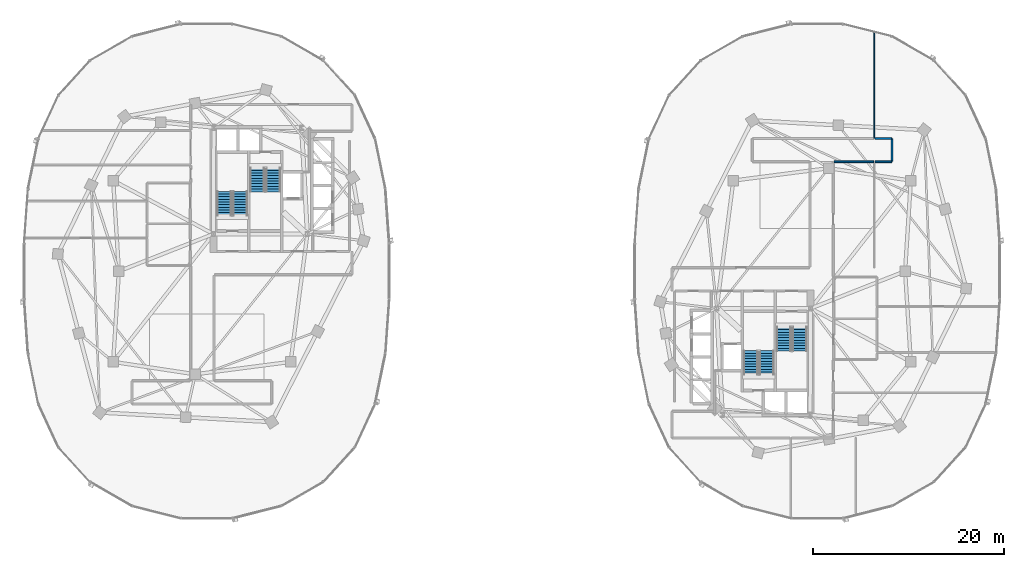
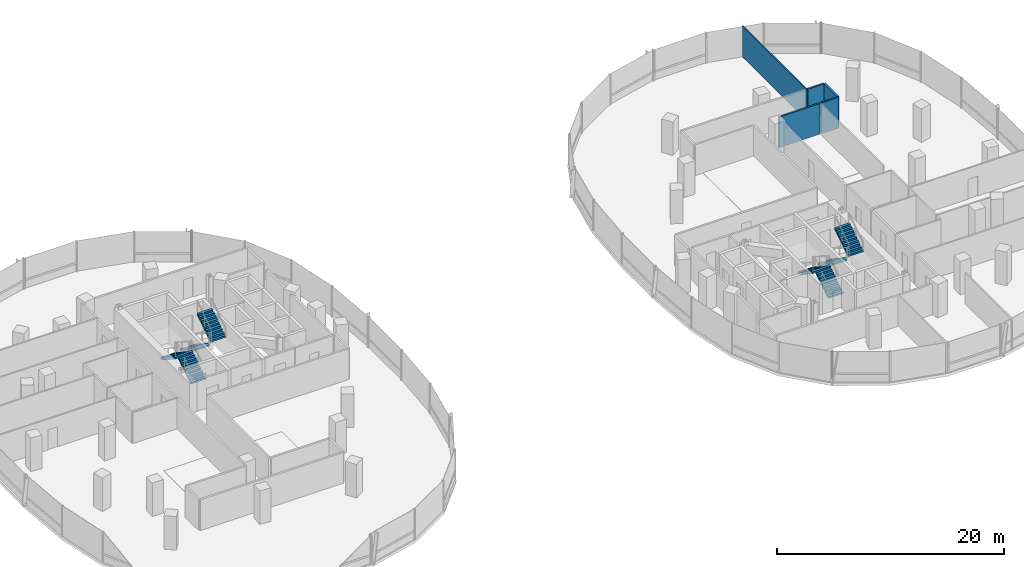
# One storey, part 14 of 21: 8 stair flights, 5 walls, 4 elements without a shape of their own.
"""IFC4 building model written with IfcOpenShell, lengths in metres."""

import ifcopenshell
import ifcopenshell.guid

model = None  # the IFC model being written
_history = None  # IfcOwnerHistory: only IFC2X3 demands one
_inside = {}  # id of a spatial element -> (the spatial element, [elements in it])
_under = {}  # id of a project, library or spatial element -> (it, [spatial elements below it])
_declared = {}  # id of a project -> (the project, [libraries it declares])
_typed = {}  # id of a type object -> (the type object, [elements of that type])
_made_of = {}  # id of a material, layer set ... -> (it, [elements and type objects made of it])


def new_model(schema):
    """Start an empty IFC model of exactly this schema.

    Asked for "IFC4X3", IfcOpenShell would pick the latest addendum, in which some entities
    have other attributes; the version numbers below select the first issue.
    IFC2X3 requires an IfcOwnerHistory on every rooted entity: one is made here for all.
    """
    global model, _history
    if schema == "IFC4X3":
        model = ifcopenshell.file(schema_version=(4, 3, 0, 0))
    else:
        model = ifcopenshell.file(schema=schema)
    _inside.clear()
    _under.clear()
    _declared.clear()
    _typed.clear()
    _made_of.clear()
    _history = None
    if model.schema == "IFC2X3":
        org = make("IfcOrganization", Name="unknown")
        user = make(
            "IfcPersonAndOrganization",
            ThePerson=make("IfcPerson", FamilyName="unknown"),
            TheOrganization=org,
        )
        app = make(
            "IfcApplication",
            ApplicationDeveloper=org,
            Version="unknown",
            ApplicationFullName="unknown",
            ApplicationIdentifier="unknown",
        )
        _history = make(
            "IfcOwnerHistory",
            OwningUser=user,
            OwningApplication=app,
            ChangeAction="ADDED",
            CreationDate=0,
        )
    return model


def make(cls, **values):
    """One entity of the class cls with the attributes given. An attribute that is None is left unset."""
    return model.create_entity(
        cls, **{name: value for name, value in values.items() if value is not None}
    )


def rooted(cls, **values):
    """An entity with a GlobalId (a new one), such as an element, a storey or a relation."""
    return make(cls, GlobalId=ifcopenshell.guid.new(), OwnerHistory=_history, **values)


def si_unit(unit_type, name, prefix=None):
    """IfcSIUnit, for example si_unit("LENGTHUNIT", "METRE", prefix="MILLI")."""
    return make("IfcSIUnit", UnitType=unit_type, Prefix=prefix, Name=name)


def assignment(units):
    """IfcUnitAssignment: the units of a project."""
    return None if units is None else make("IfcUnitAssignment", Units=units)


def point(xyz):
    """IfcCartesianPoint."""
    return None if xyz is None else make("IfcCartesianPoint", Coordinates=xyz)


def direction(xyz):
    """IfcDirection."""
    return None if xyz is None else make("IfcDirection", DirectionRatios=xyz)


def frame(location, z_axis=None, x_axis=None):
    """IfcAxis2Placement3D, a coordinate frame: its origin and axes. An axis left out is left unset."""
    return make(
        "IfcAxis2Placement3D",
        Location=point(location),
        Axis=direction(z_axis),
        RefDirection=direction(x_axis),
    )


def frame_2d(location, x_axis=None):
    """IfcAxis2Placement2D, a coordinate frame in the plane: its origin and x axis."""
    return make(
        "IfcAxis2Placement2D", Location=point(location), RefDirection=direction(x_axis)
    )


def origin():
    """The frame at (0, 0, 0) with its axes left unset."""
    return frame((0.0, 0.0, 0.0))


def place(relative_to, where):
    """IfcLocalPlacement: puts the frame where relative to a parent placement (None: the world)."""
    return make(
        "IfcLocalPlacement", PlacementRelTo=relative_to, RelativePlacement=where
    )


def context(
    kind, dimensions, precision=None, world=None, true_north=None, identifier=None
):
    """IfcGeometricRepresentationContext, for example the 3D "Model" context."""
    return make(
        "IfcGeometricRepresentationContext",
        ContextIdentifier=identifier,
        ContextType=kind,
        CoordinateSpaceDimension=dimensions,
        Precision=precision,
        WorldCoordinateSystem=world,
        TrueNorth=true_north,
    )


def subcontext(parent, identifier, kind, view, scale=None):
    """IfcGeometricRepresentationSubContext, for example "Body" below "Model"."""
    return make(
        "IfcGeometricRepresentationSubContext",
        ContextIdentifier=identifier,
        ContextType=kind,
        ParentContext=parent,
        TargetScale=scale,
        TargetView=view,
    )


def project(units=None, contexts=None):
    """IfcProject with its units and contexts."""
    return rooted(
        "IfcProject",
        Name="project",
        RepresentationContexts=contexts,
        UnitsInContext=assignment(units),
    )


def spatial(cls, under=None, at=None, **own):
    """A site, building, storey or space (cls), placed at a placement, below another one or the project."""
    s = rooted(cls, ObjectPlacement=at, **own)
    if under is not None:
        _under.setdefault(under.id(), (under, []))[1].append(s)
    return s


def polyline(points):
    """IfcPolyline through the points."""
    return make("IfcPolyline", Points=[point(p) for p in points])


def profile(cls, at=None, kind="AREA", **sizes):
    """A parametric profile (cls). Its sizes go by their IFC names, for example OverallWidth=200.0."""
    return make(cls, ProfileType=kind, Position=at, **sizes)


def rectangle(**sizes):
    """IfcRectangleProfileDef."""
    return profile("IfcRectangleProfileDef", **sizes)


def outline(outer, holes=None, kind="AREA"):
    """IfcArbitraryClosedProfileDef: a profile drawn as a closed curve; with holes, ...WithVoids."""
    if holes is None:
        return make("IfcArbitraryClosedProfileDef", ProfileType=kind, OuterCurve=outer)
    return make(
        "IfcArbitraryProfileDefWithVoids",
        ProfileType=kind,
        OuterCurve=outer,
        InnerCurves=holes,
    )


def extrude(swept, where, along, depth):
    """IfcExtrudedAreaSolid: the profile swept, set in the frame where, extruded along a direction by depth."""
    return make(
        "IfcExtrudedAreaSolid",
        SweptArea=swept,
        Position=where,
        ExtrudedDirection=direction(along),
        Depth=depth,
    )


def shape(context_of_items, identifier, shape_type, items):
    """IfcShapeRepresentation: the items that make up one representation, for example the "Body"."""
    return make(
        "IfcShapeRepresentation",
        ContextOfItems=context_of_items,
        RepresentationIdentifier=identifier,
        RepresentationType=shape_type,
        Items=items,
    )


def material(Name=None, Category=None):
    """IfcMaterial."""
    return make("IfcMaterial", Name=Name, Category=Category)


def layer(
    of_material, thickness, ventilated=None, Name=None, Category=None, Priority=None
):
    """IfcMaterialLayer: one layer of a wall or slab, of a material (None: an air gap)."""
    return make(
        "IfcMaterialLayer",
        Material=of_material,
        LayerThickness=thickness,
        IsVentilated=ventilated,
        Name=Name,
        Category=Category,
        Priority=Priority,
    )


def layer_set(layers, Name=None):
    """IfcMaterialLayerSet."""
    return make("IfcMaterialLayerSet", MaterialLayers=layers, LayerSetName=Name)


def made_of(thing, what):
    """Note that an element or type object is made of a material, layer set ...; save() writes the relation."""
    if what is not None:
        _made_of.setdefault(what.id(), (what, []))[1].append(thing)
    return thing


def type_object(cls, material=None, **own):
    """A type object (cls), such as IfcWallType, which elements share."""
    return made_of(rooted(cls, **own), material)


def element(
    cls,
    number,
    at=None,
    inside=None,
    cuts=None,
    type_object=None,
    material=None,
    context=None,
    identifier="Body",
    shape_type=None,
    held_by="IfcProductDefinitionShape",
    body=None,
    shapes=None,
    **own,
):
    """One element of the class cls, such as IfcWall. Its Tag is "e" and its number.

    at: its placement. inside: the storey or other place that contains it. cuts: it is an
    opening in that element (IfcRelVoidsElement). A single representation is given by context,
    identifier, shape_type and body (its items); several are given by shapes. held_by: the class
    of the entity that holds the representations. save() writes the other relations.
    """
    e = rooted(cls, Tag="e%d" % number, ObjectPlacement=at, **own)
    if body is not None:
        shapes = [shape(context, identifier, shape_type, body)]
    if shapes is not None:
        e.Representation = make(held_by, Representations=shapes)
    if inside is not None:
        _inside.setdefault(inside.id(), (inside, []))[1].append(e)
    if cuts is not None:
        rooted(
            "IfcRelVoidsElement", RelatingBuildingElement=cuts, RelatedOpeningElement=e
        )
    if type_object is not None:
        _typed.setdefault(type_object.id(), (type_object, []))[1].append(e)
    return made_of(e, material)


def aggregate(whole, parts):
    """IfcRelAggregates: a whole, such as a stair, and the parts it consists of."""
    return rooted("IfcRelAggregates", RelatingObject=whole, RelatedObjects=parts)


def save(model, path):
    """Write the relations noted so far, then the file.

    IfcRelAggregates (storeys below a building ...), IfcRelContainedInSpatialStructure (elements
    in a storey), IfcRelDefinesByType, IfcRelAssociatesMaterial and IfcRelDeclares: one each for
    every whole, place, type object, material and project.
    """
    for whole, parts in _under.values():
        aggregate(whole, parts)
    for where, things in _inside.values():
        rooted(
            "IfcRelContainedInSpatialStructure",
            RelatedElements=things,
            RelatingStructure=where,
        )
    for kind, things in _typed.values():
        rooted("IfcRelDefinesByType", RelatedObjects=things, RelatingType=kind)
    for what, things in _made_of.values():
        rooted("IfcRelAssociatesMaterial", RelatedObjects=things, RelatingMaterial=what)
    for by, libraries in _declared.values():
        rooted("IfcRelDeclares", RelatingContext=by, RelatedDefinitions=libraries)
    model.write(path)


model = new_model("IFC4")

# Units and contexts
model_context = context("Model", 3, precision=1e-05, world=origin(), true_north=direction((0.0, 1.0)))
body_context = subcontext(model_context, "Body", "Model", "MODEL_VIEW")
ifc_project = project(units=[si_unit("LENGTHUNIT", "METRE"), si_unit("AREAUNIT", "SQUARE_METRE"), si_unit("VOLUMEUNIT", "CUBIC_METRE"), si_unit("PLANEANGLEUNIT", "RADIAN"), si_unit("MASSUNIT", "GRAM", prefix="KILO"), si_unit("THERMODYNAMICTEMPERATUREUNIT", "KELVIN"), si_unit("POWERUNIT", "WATT")], contexts=[model_context])

# Site, building, storey
site_placement = place(None, origin())
site = spatial("IfcSite", under=ifc_project, at=site_placement, CompositionType="ELEMENT")
building_placement = place(site_placement, origin())
building = spatial("IfcBuilding", under=site, at=building_placement, Name="Cundina Bronze Exchange", CompositionType="ELEMENT")
storey_placement = place(building_placement, frame((0.0, 0.0, 81.800048828125)))
storey = spatial("IfcBuildingStorey", under=building, at=storey_placement, Name="L20", CompositionType="ELEMENT", Elevation=81.800048828125)

# Walls
ifc_material_1 = material(Name="Gypsum Fireboard Partition EI120")
ifc_layer_1 = layer(ifc_material_1, 0.179931640625, Name="Gypsum Fireboard Partition EI120")
ifc_layer_set_1 = layer_set([ifc_layer_1], Name="Gypsum Fireboard Partition EI120")
wall_type_1 = type_object("IfcWallType", Name="WL-COR-180", PredefinedType="PARTITIONING", material=ifc_layer_set_1)
wall_1_placement = place(storey_placement, frame((33.75, 11.47998046875, 0.0), z_axis=(0.0, 0.0, 1.0), x_axis=(1.0, 0.0, 0.0)))
element("IfcWall", 1, at=wall_1_placement, inside=storey, type_object=wall_type_1, Name="L20 Interior Partition 067", PredefinedType="PARTITIONING", context=body_context, shape_type="SweptSolid", body=[
    extrude(rectangle(XDim=4.139892578125, YDim=0.179931640625, at=frame_2d((2.06982421875, 0.0))), origin(), (0.0, 0.0, 1.0), 3.300048828125),
])
wall_2_placement = place(storey_placement, frame((39.820068359375, 11.521484375, 0.0), z_axis=(0.0, 0.0, 1.0), x_axis=(0.0, 1.0, 0.0)))
element("IfcWall", 2, at=wall_2_placement, inside=storey, type_object=wall_type_1, Name="L20 Interior Partition 068", PredefinedType="PARTITIONING", context=body_context, shape_type="SweptSolid", body=[
    extrude(rectangle(XDim=2.35693359375, YDim=0.179931640625, at=frame_2d((1.178466796875, 0.0))), origin(), (0.0, 0.0, 1.0), 3.300048828125),
])
for number, where, z_axis, x_axis, name in (
    (3, (38.070068359375, 11.47998046875, 0.0), (0.0, 0.0, 1.0), (1.0, 0.0, 0.0), "L20 Interior Partition 069"),
    (4, (39.778564453125, 13.919921875, 0.0), (0.0, 0.0, 1.0), (-1.0, 0.0, 0.0), "L20 Interior Partition 070"),
):
    element("IfcWall", number, at=place(storey_placement, frame(where, z_axis=z_axis, x_axis=x_axis)), inside=storey, type_object=wall_type_1, Name=name, PredefinedType="PARTITIONING", context=body_context, shape_type="SweptSolid", body=[
        extrude(rectangle(XDim=1.70849609375, YDim=0.179931640625, at=frame_2d((0.854248046875, 0.0))), origin(), (0.0, 0.0, 1.0), 3.300048828125),
    ])
ifc_material_2 = material(Name="Gypsum Acoustic Partition EI60")
ifc_layer_2 = layer(ifc_material_2, 0.125, Name="Gypsum Acoustic Partition EI60")
ifc_layer_set_2 = layer_set([ifc_layer_2], Name="Gypsum Acoustic Partition EI60")
wall_type_2 = type_object("IfcWallType", Name="WL-OFF-125", PredefinedType="PARTITIONING", material=ifc_layer_set_2)
wall_3_placement = place(storey_placement, frame((37.97998046875, 13.949951171875, 0.0), z_axis=(0.0, 0.0, 1.0), x_axis=(0.0, 1.0, 0.0)))
element("IfcWall", 5, at=wall_3_placement, inside=storey, type_object=wall_type_2, Name="L20 Interior Partition 049", PredefinedType="PARTITIONING", context=body_context, shape_type="SweptSolid", body=[
    extrude(rectangle(XDim=11.20654296875, YDim=0.125, at=frame_2d((5.603271484375, 0.0))), origin(), (0.0, 0.0, 1.0), 3.300048828125),
])

# Stair, stair flights
ifc_material_3 = material(Name="Concrete C40/50", Category="concrete")
stair_type = type_object("IfcStairType", Name="STR-OFF-360", PredefinedType="HALF_TURN_STAIR", material=ifc_material_3)
stair_1_placement = place(storey_placement, origin())
stair_1 = element("IfcStair", 6, at=stair_1_placement, inside=storey, type_object=stair_type, Name="L20 Smokeproof Exit Stair W1", PredefinedType="HALF_TURN_STAIR")
stair_flight_type = type_object("IfcStairFlightType", Name="FLG-OFF-180", PredefinedType="STRAIGHT", material=ifc_material_3)
stair_flight_1_placement = place(storey_placement, frame((-28.489990234375, 5.85009765625, 0.0), z_axis=(0.0, 0.0, 1.0), x_axis=(0.0, 1.0, 0.0)))
stair_flight_1 = element("IfcStairFlight", 7, at=stair_flight_1_placement, type_object=stair_flight_type, Name="ST-W1 flight 1", NumberOfRisers=10, NumberOfTreads=9, PredefinedType="STRAIGHT", RiserHeight=0.18, TreadLength=0.28, context=body_context, shape_type="SweptSolid", body=[
    extrude(outline(polyline([(0.0, 0.0), (0.0, 0.179931640625), (0.280029296875, 0.179931640625), (0.280029296875, 0.360107421875), (0.56005859375, 0.360107421875), (0.56005859375, 0.5400390625), (0.840087890625, 0.5400390625), (0.840087890625, 0.719970703125), (1.1201171875, 0.719970703125), (1.1201171875, 0.89990234375), (1.39990234375, 0.89990234375), (1.39990234375, 1.080078125), (1.679931640625, 1.080078125), (1.679931640625, 1.260009765625), (1.9599609375, 1.260009765625), (1.9599609375, 1.43994140625), (2.239990234375, 1.43994140625), (2.239990234375, 1.6201171875), (2.52001953125, 1.6201171875), (2.52001953125, 1.800048828125), (2.52001953125, 1.44189453125), (0.277099609375, 0.0), (0.0, 0.0)])), frame((0.0, 0.75, 0.0), z_axis=(0.0, -1.0, 0.0), x_axis=(1.0, 0.0, 0.0)), (0.0, 0.0, 1.0), 1.5),
])
stair_flight_2_placement = place(storey_placement, frame((-30.14990234375, 8.3701171875, 1.800048828125), z_axis=(0.0, 0.0, 1.0), x_axis=(0.0, -1.0, 0.0)))
stair_flight_2 = element("IfcStairFlight", 8, at=stair_flight_2_placement, type_object=stair_flight_type, Name="ST-W1 flight 2", NumberOfRisers=10, NumberOfTreads=9, PredefinedType="STRAIGHT", RiserHeight=0.18, TreadLength=0.28, context=body_context, shape_type="SweptSolid", body=[
    extrude(outline(polyline([(0.0, 0.0), (0.0, 0.179931640625), (0.280029296875, 0.179931640625), (0.280029296875, 0.360107421875), (0.56005859375, 0.360107421875), (0.56005859375, 0.5400390625), (0.840087890625, 0.5400390625), (0.840087890625, 0.719970703125), (1.1201171875, 0.719970703125), (1.1201171875, 0.89990234375), (1.39990234375, 0.89990234375), (1.39990234375, 1.080078125), (1.679931640625, 1.080078125), (1.679931640625, 1.260009765625), (1.9599609375, 1.260009765625), (1.9599609375, 1.43994140625), (2.239990234375, 1.43994140625), (2.239990234375, 1.6201171875), (2.52001953125, 1.6201171875), (2.52001953125, 1.800048828125), (2.52001953125, 1.44189453125), (0.277099609375, 0.0), (0.0, 0.0)])), frame((0.0, 0.75, 0.0), z_axis=(0.0, -1.0, 0.0), x_axis=(1.0, 0.0, 0.0)), (0.0, 0.0, 1.0), 1.5),
])
aggregate(stair_1, [stair_flight_1, stair_flight_2])

stair_2_placement = place(storey_placement, origin())
stair_2 = element("IfcStair", 9, at=stair_2_placement, inside=storey, type_object=stair_type, Name="L20 Smokeproof Exit Stair W2", PredefinedType="HALF_TURN_STAIR")
stair_flight_3_placement = place(storey_placement, frame((-26.68994140625, 10.85009765625, 0.0), z_axis=(0.0, 0.0, 1.0), x_axis=(0.0, -1.0, 0.0)))
stair_flight_3 = element("IfcStairFlight", 10, at=stair_flight_3_placement, type_object=stair_flight_type, Name="ST-W2 flight 1", NumberOfRisers=10, NumberOfTreads=9, PredefinedType="STRAIGHT", RiserHeight=0.18, TreadLength=0.28, context=body_context, shape_type="SweptSolid", body=[
    extrude(outline(polyline([(0.0, 0.0), (0.0, 0.179931640625), (0.280029296875, 0.179931640625), (0.280029296875, 0.360107421875), (0.56005859375, 0.360107421875), (0.56005859375, 0.5400390625), (0.840087890625, 0.5400390625), (0.840087890625, 0.719970703125), (1.1201171875, 0.719970703125), (1.1201171875, 0.89990234375), (1.39990234375, 0.89990234375), (1.39990234375, 1.080078125), (1.679931640625, 1.080078125), (1.679931640625, 1.260009765625), (1.9599609375, 1.260009765625), (1.9599609375, 1.43994140625), (2.239990234375, 1.43994140625), (2.239990234375, 1.6201171875), (2.52001953125, 1.6201171875), (2.52001953125, 1.800048828125), (2.52001953125, 1.44189453125), (0.277099609375, 0.0), (0.0, 0.0)])), frame((0.0, 0.75, 0.0), z_axis=(0.0, -1.0, 0.0), x_axis=(1.0, 0.0, 0.0)), (0.0, 0.0, 1.0), 1.5),
])
stair_flight_4_placement = place(storey_placement, frame((-25.030029296875, 8.330078125, 1.800048828125), z_axis=(0.0, 0.0, 1.0), x_axis=(0.0, 1.0, 0.0)))
stair_flight_4 = element("IfcStairFlight", 11, at=stair_flight_4_placement, type_object=stair_flight_type, Name="ST-W2 flight 2", NumberOfRisers=10, NumberOfTreads=9, PredefinedType="STRAIGHT", RiserHeight=0.18, TreadLength=0.28, context=body_context, shape_type="SweptSolid", body=[
    extrude(outline(polyline([(0.0, 0.0), (0.0, 0.179931640625), (0.280029296875, 0.179931640625), (0.280029296875, 0.360107421875), (0.56005859375, 0.360107421875), (0.56005859375, 0.5400390625), (0.840087890625, 0.5400390625), (0.840087890625, 0.719970703125), (1.1201171875, 0.719970703125), (1.1201171875, 0.89990234375), (1.39990234375, 0.89990234375), (1.39990234375, 1.080078125), (1.679931640625, 1.080078125), (1.679931640625, 1.260009765625), (1.9599609375, 1.260009765625), (1.9599609375, 1.43994140625), (2.239990234375, 1.43994140625), (2.239990234375, 1.6201171875), (2.52001953125, 1.6201171875), (2.52001953125, 1.800048828125), (2.52001953125, 1.44189453125), (0.277099609375, 0.0), (0.0, 0.0)])), frame((0.0, 0.75, 0.0), z_axis=(0.0, -1.0, 0.0), x_axis=(1.0, 0.0, 0.0)), (0.0, 0.0, 1.0), 1.5),
])
aggregate(stair_2, [stair_flight_3, stair_flight_4])

stair_3_placement = place(storey_placement, origin())
stair_3 = element("IfcStair", 12, at=stair_3_placement, inside=storey, type_object=stair_type, Name="L20 Smokeproof Exit Stair E1", PredefinedType="HALF_TURN_STAIR")
stair_flight_5_placement = place(storey_placement, frame((28.489990234375, -5.85009765625, 0.0), z_axis=(0.0, 0.0, 1.0), x_axis=(0.0, -1.0, 0.0)))
stair_flight_5 = element("IfcStairFlight", 13, at=stair_flight_5_placement, type_object=stair_flight_type, Name="ST-E1 flight 1", NumberOfRisers=10, NumberOfTreads=9, PredefinedType="STRAIGHT", RiserHeight=0.18, TreadLength=0.28, context=body_context, shape_type="SweptSolid", body=[
    extrude(outline(polyline([(0.0, 0.0), (0.0, 0.179931640625), (0.280029296875, 0.179931640625), (0.280029296875, 0.360107421875), (0.56005859375, 0.360107421875), (0.56005859375, 0.5400390625), (0.840087890625, 0.5400390625), (0.840087890625, 0.719970703125), (1.1201171875, 0.719970703125), (1.1201171875, 0.89990234375), (1.39990234375, 0.89990234375), (1.39990234375, 1.080078125), (1.679931640625, 1.080078125), (1.679931640625, 1.260009765625), (1.9599609375, 1.260009765625), (1.9599609375, 1.43994140625), (2.239990234375, 1.43994140625), (2.239990234375, 1.6201171875), (2.52001953125, 1.6201171875), (2.52001953125, 1.800048828125), (2.52001953125, 1.44189453125), (0.277099609375, 0.0), (0.0, 0.0)])), frame((0.0, 0.75, 0.0), z_axis=(0.0, -1.0, 0.0), x_axis=(1.0, 0.0, 0.0)), (0.0, 0.0, 1.0), 1.5),
])
stair_flight_6_placement = place(storey_placement, frame((30.14990234375, -8.3701171875, 1.800048828125), z_axis=(0.0, 0.0, 1.0), x_axis=(0.0, 1.0, 0.0)))
stair_flight_6 = element("IfcStairFlight", 14, at=stair_flight_6_placement, type_object=stair_flight_type, Name="ST-E1 flight 2", NumberOfRisers=10, NumberOfTreads=9, PredefinedType="STRAIGHT", RiserHeight=0.18, TreadLength=0.28, context=body_context, shape_type="SweptSolid", body=[
    extrude(outline(polyline([(0.0, 0.0), (0.0, 0.179931640625), (0.280029296875, 0.179931640625), (0.280029296875, 0.360107421875), (0.56005859375, 0.360107421875), (0.56005859375, 0.5400390625), (0.840087890625, 0.5400390625), (0.840087890625, 0.719970703125), (1.1201171875, 0.719970703125), (1.1201171875, 0.89990234375), (1.39990234375, 0.89990234375), (1.39990234375, 1.080078125), (1.679931640625, 1.080078125), (1.679931640625, 1.260009765625), (1.9599609375, 1.260009765625), (1.9599609375, 1.43994140625), (2.239990234375, 1.43994140625), (2.239990234375, 1.6201171875), (2.52001953125, 1.6201171875), (2.52001953125, 1.800048828125), (2.52001953125, 1.44189453125), (0.277099609375, 0.0), (0.0, 0.0)])), frame((0.0, 0.75, 0.0), z_axis=(0.0, -1.0, 0.0), x_axis=(1.0, 0.0, 0.0)), (0.0, 0.0, 1.0), 1.5),
])
aggregate(stair_3, [stair_flight_5, stair_flight_6])

stair_4_placement = place(storey_placement, origin())
stair_4 = element("IfcStair", 15, at=stair_4_placement, inside=storey, type_object=stair_type, Name="L20 Smokeproof Exit Stair E2", PredefinedType="HALF_TURN_STAIR")
stair_flight_7_placement = place(storey_placement, frame((26.68994140625, -10.85009765625, 0.0), z_axis=(0.0, 0.0, 1.0), x_axis=(0.0, 1.0, 0.0)))
stair_flight_7 = element("IfcStairFlight", 16, at=stair_flight_7_placement, type_object=stair_flight_type, Name="ST-E2 flight 1", NumberOfRisers=10, NumberOfTreads=9, PredefinedType="STRAIGHT", RiserHeight=0.18, TreadLength=0.28, context=body_context, shape_type="SweptSolid", body=[
    extrude(outline(polyline([(0.0, 0.0), (0.0, 0.179931640625), (0.280029296875, 0.179931640625), (0.280029296875, 0.360107421875), (0.56005859375, 0.360107421875), (0.56005859375, 0.5400390625), (0.840087890625, 0.5400390625), (0.840087890625, 0.719970703125), (1.1201171875, 0.719970703125), (1.1201171875, 0.89990234375), (1.39990234375, 0.89990234375), (1.39990234375, 1.080078125), (1.679931640625, 1.080078125), (1.679931640625, 1.260009765625), (1.9599609375, 1.260009765625), (1.9599609375, 1.43994140625), (2.239990234375, 1.43994140625), (2.239990234375, 1.6201171875), (2.52001953125, 1.6201171875), (2.52001953125, 1.800048828125), (2.52001953125, 1.44189453125), (0.277099609375, 0.0), (0.0, 0.0)])), frame((0.0, 0.75, 0.0), z_axis=(0.0, -1.0, 0.0), x_axis=(1.0, 0.0, 0.0)), (0.0, 0.0, 1.0), 1.5),
])
stair_flight_8_placement = place(storey_placement, frame((25.030029296875, -8.330078125, 1.800048828125), z_axis=(0.0, 0.0, 1.0), x_axis=(0.0, -1.0, 0.0)))
stair_flight_8 = element("IfcStairFlight", 17, at=stair_flight_8_placement, type_object=stair_flight_type, Name="ST-E2 flight 2", NumberOfRisers=10, NumberOfTreads=9, PredefinedType="STRAIGHT", RiserHeight=0.18, TreadLength=0.28, context=body_context, shape_type="SweptSolid", body=[
    extrude(outline(polyline([(0.0, 0.0), (0.0, 0.179931640625), (0.280029296875, 0.179931640625), (0.280029296875, 0.360107421875), (0.56005859375, 0.360107421875), (0.56005859375, 0.5400390625), (0.840087890625, 0.5400390625), (0.840087890625, 0.719970703125), (1.1201171875, 0.719970703125), (1.1201171875, 0.89990234375), (1.39990234375, 0.89990234375), (1.39990234375, 1.080078125), (1.679931640625, 1.080078125), (1.679931640625, 1.260009765625), (1.9599609375, 1.260009765625), (1.9599609375, 1.43994140625), (2.239990234375, 1.43994140625), (2.239990234375, 1.6201171875), (2.52001953125, 1.6201171875), (2.52001953125, 1.800048828125), (2.52001953125, 1.44189453125), (0.277099609375, 0.0), (0.0, 0.0)])), frame((0.0, 0.75, 0.0), z_axis=(0.0, -1.0, 0.0), x_axis=(1.0, 0.0, 0.0)), (0.0, 0.0, 1.0), 1.5),
])
aggregate(stair_4, [stair_flight_7, stair_flight_8])

save(model, "model.ifc")
